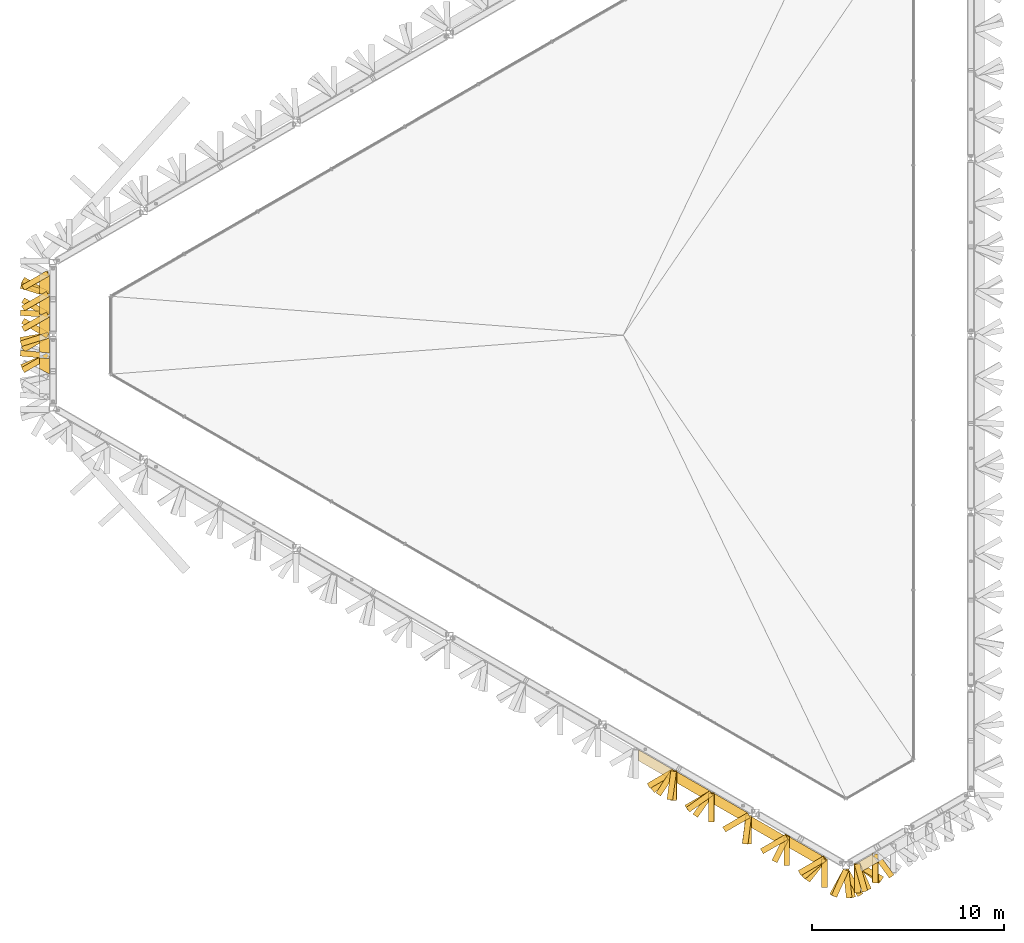
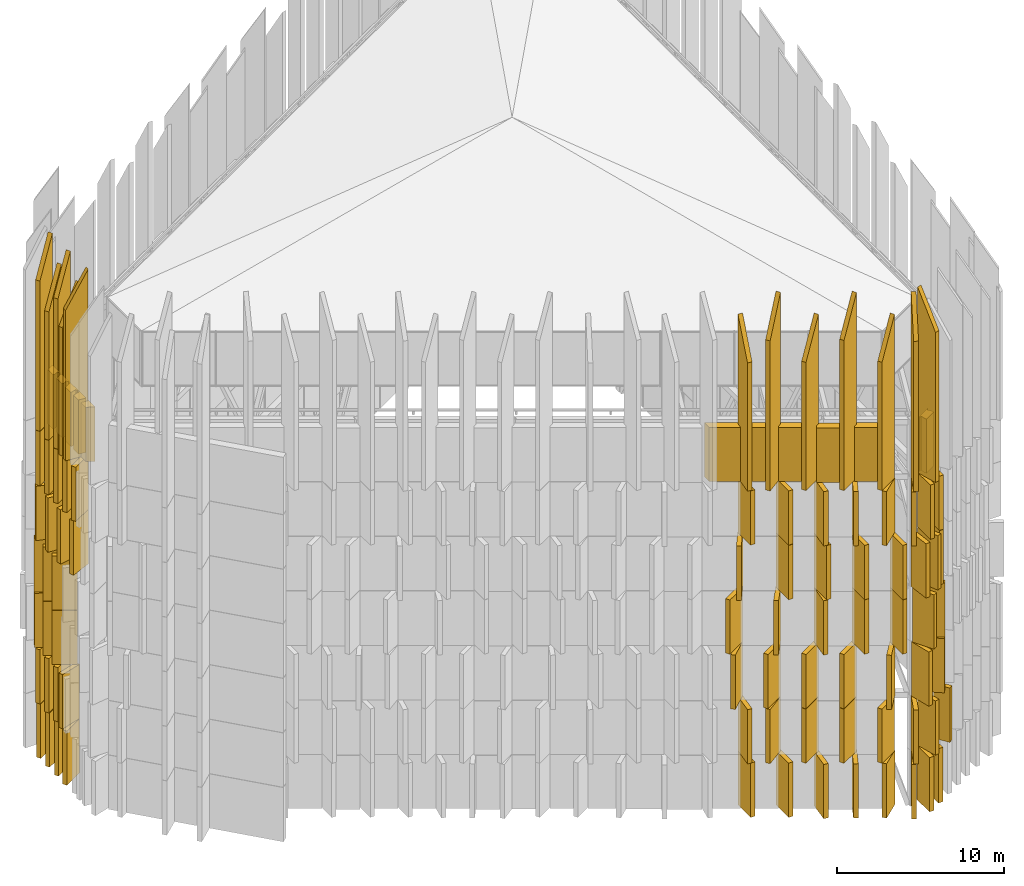
# One storey, part 39 of 45: 92 shading devices.
"""IFC4 building model written with IfcOpenShell, lengths in metres."""

from ifc_helpers import new_model, si_unit, direction, frame, frame_2d, origin, place, context, subcontext, project, spatial, polyline, rectangle, outline, extrude, material, layer, layer_set, type_object, element, save


model = new_model("IFC4")

# Units and contexts
model_context = context("Model", 3, precision=1e-05, world=origin(), true_north=direction((0.0, 1.0)))
body_context = subcontext(model_context, "Body", "Model", "MODEL_VIEW")
ifc_project = project(units=[si_unit("LENGTHUNIT", "METRE"), si_unit("AREAUNIT", "SQUARE_METRE"), si_unit("VOLUMEUNIT", "CUBIC_METRE"), si_unit("PLANEANGLEUNIT", "RADIAN"), si_unit("MASSUNIT", "GRAM", prefix="KILO")], contexts=[model_context])

# Site, building, storey
site_placement = place(None, origin())
site = spatial("IfcSite", under=ifc_project, at=site_placement, CompositionType="ELEMENT")
building_placement = place(site_placement, origin())
building = spatial("IfcBuilding", under=site, at=building_placement, Name="Jabali Bay Hotel Tower and Convention Centre", CompositionType="ELEMENT")
storey_placement = place(building_placement, frame((0.0, 0.0, 322.39990234375)))
storey = spatial("IfcBuildingStorey", under=building, at=storey_placement, Name="Crown", CompositionType="ELEMENT", Elevation=322.39990234375)

# Shading devices
ifc_material_1 = material(Name="Aluminium 6063", Category="aluminium")
shading_device_type_1 = type_object("IfcShadingDeviceType", Name="Louvre bank", PredefinedType="USERDEFINED", material=ifc_material_1)
shading_device_1_placement = place(storey_placement, frame((0.0, 0.0, 23.92431640625)))
element("IfcShadingDevice", 1, at=shading_device_1_placement, inside=storey, type_object=shading_device_type_1, Name="Louvre 7.3.49", ObjectType="LOUVRE", PredefinedType="USERDEFINED", context=body_context, shape_type="SweptSolid", body=[
    extrude(outline(polyline([(45.02587890625, 82.152099609375), (45.02587890625, 83.098388671875), (44.52587890625, 82.8095703125), (44.52587890625, 82.152099609375), (44.65087890625, 82.152099609375), (44.8759765625, 82.281982421875), (44.950927734375, 82.152099609375), (45.02587890625, 82.152099609375)])), origin(), (0.0, 0.0, 1.0), 3.9658203125),
])
shading_device_2_placement = place(storey_placement, frame((0.0, 0.0, 23.92431640625)))
element("IfcShadingDevice", 2, at=shading_device_2_placement, inside=storey, type_object=shading_device_type_1, Name="Louvre 7.3.50", ObjectType="LOUVRE", PredefinedType="USERDEFINED", context=body_context, shape_type="SweptSolid", body=[
    extrude(outline(polyline([(45.02587890625, 81.076171875), (45.02587890625, 82.022216796875), (44.52587890625, 81.733642578125), (44.52587890625, 81.076171875), (44.65087890625, 81.076171875), (44.8759765625, 81.2060546875), (44.950927734375, 81.076171875), (45.02587890625, 81.076171875)])), origin(), (0.0, 0.0, 1.0), 3.9658203125),
])
shading_device_3_placement = place(storey_placement, frame((0.0, 0.0, 23.92431640625)))
element("IfcShadingDevice", 3, at=shading_device_3_placement, inside=storey, type_object=shading_device_type_1, Name="Louvre 7.3.51", ObjectType="LOUVRE", PredefinedType="USERDEFINED", context=body_context, shape_type="SweptSolid", body=[
    extrude(outline(polyline([(45.02587890625, 80.0), (45.02587890625, 80.9462890625), (44.52587890625, 80.657470703125), (44.52587890625, 80.016357421875), (44.9375, 80.143310546875), (44.981689453125, 80.0), (45.02587890625, 80.0)])), origin(), (0.0, 0.0, 1.0), 3.9658203125),
])
shading_device_4_placement = place(storey_placement, frame((0.0, 0.0, 23.92431640625)))
element("IfcShadingDevice", 4, at=shading_device_4_placement, inside=storey, type_object=shading_device_type_1, Name="Louvre 7.3.52", ObjectType="LOUVRE", PredefinedType="USERDEFINED", context=body_context, shape_type="SweptSolid", body=[
    extrude(outline(polyline([(45.02587890625, 79.0732421875), (45.02587890625, 79.856689453125), (44.52587890625, 79.702392578125), (44.52587890625, 79.119140625), (45.02587890625, 79.0732421875)])), origin(), (0.0, 0.0, 1.0), 3.9658203125),
])
shading_device_5_placement = place(storey_placement, frame((0.0, 0.0, 23.92431640625)))
element("IfcShadingDevice", 5, at=shading_device_5_placement, inside=storey, type_object=shading_device_type_1, Name="Louvre 7.3.53", ObjectType="LOUVRE", PredefinedType="USERDEFINED", context=body_context, shape_type="SweptSolid", body=[
    extrude(outline(polyline([(45.02587890625, 77.98095703125), (45.02587890625, 78.923828125), (45.01220703125, 78.923828125), (44.99853515625, 78.774658203125), (44.52587890625, 78.81787109375), (44.52587890625, 78.240966796875), (45.02587890625, 77.98095703125)])), origin(), (0.0, 0.0, 1.0), 3.9658203125),
])
shading_device_6_placement = place(storey_placement, frame((0.0, 0.0, 23.92431640625)))
element("IfcShadingDevice", 6, at=shading_device_6_placement, inside=storey, type_object=shading_device_type_1, Name="Louvre 7.4.71", ObjectType="LOUVRE", PredefinedType="USERDEFINED", context=body_context, shape_type="SweptSolid", body=[
    extrude(outline(polyline([(77.654052734375, 57.2802734375), (75.795166015625, 58.353515625), (75.795166015625, 57.776123046875), (77.404052734375, 56.847412109375), (77.4287109375, 56.889892578125), (77.476806640625, 57.250732421875), (77.62548828125, 57.23095703125), (77.654052734375, 57.2802734375)])), origin(), (0.0, 0.0, 1.0), 3.9658203125),
])
shading_device_7_placement = place(storey_placement, frame((0.0, 0.0, 23.92431640625)))
element("IfcShadingDevice", 7, at=shading_device_7_placement, inside=storey, type_object=shading_device_type_1, Name="Louvre 7.4.72", ObjectType="LOUVRE", PredefinedType="USERDEFINED", context=body_context, shape_type="SweptSolid", body=[
    extrude(outline(polyline([(79.50732421875, 56.21044921875), (77.774169921875, 57.2109375), (77.70263671875, 56.675048828125), (79.05908203125, 55.891845703125), (79.50732421875, 56.21044921875)])), origin(), (0.0, 0.0, 1.0), 3.9658203125),
])
shading_device_8_placement = place(storey_placement, frame((0.0, 0.0, 23.92431640625)))
element("IfcShadingDevice", 8, at=shading_device_8_placement, inside=storey, type_object=shading_device_type_1, Name="Louvre 7.4.73", ObjectType="LOUVRE", PredefinedType="USERDEFINED", context=body_context, shape_type="SweptSolid", body=[
    extrude(outline(polyline([(81.484375, 55.06884765625), (79.62548828125, 56.14208984375), (79.59423828125, 56.088134765625), (79.68115234375, 55.9658203125), (79.4140625, 55.776123046875), (79.37548828125, 55.709228515625), (80.984375, 54.7802734375), (81.484375, 55.06884765625)])), origin(), (0.0, 0.0, 1.0), 3.9658203125),
])
shading_device_9_placement = place(storey_placement, frame((0.0, 0.0, 23.92431640625)))
element("IfcShadingDevice", 9, at=shading_device_9_placement, inside=storey, type_object=shading_device_type_1, Name="Louvre 7.4.74", ObjectType="LOUVRE", PredefinedType="USERDEFINED", context=body_context, shape_type="SweptSolid", body=[
    extrude(outline(polyline([(83.382568359375, 53.888427734375), (81.560302734375, 54.940673828125), (81.559326171875, 54.93896484375), (81.63427734375, 54.80908203125), (81.409423828125, 54.67919921875), (81.310302734375, 54.507568359375), (82.882568359375, 53.599853515625), (83.382568359375, 53.888427734375)])), origin(), (0.0, 0.0, 1.0), 3.9658203125),
])
shading_device_10_placement = place(storey_placement, frame((0.0, 0.0, 23.92431640625)))
element("IfcShadingDevice", 10, at=shading_device_10_placement, inside=storey, type_object=shading_device_type_1, Name="Louvre 7.4.75", ObjectType="LOUVRE", PredefinedType="USERDEFINED", context=body_context, shape_type="SweptSolid", body=[
    extrude(outline(polyline([(85.427001953125, 52.79248046875), (83.568115234375, 53.86572265625), (83.53076171875, 53.80078125), (83.605712890625, 53.6708984375), (83.380859375, 53.541015625), (83.318115234375, 53.432861328125), (84.927001953125, 52.50390625), (85.427001953125, 52.79248046875)])), origin(), (0.0, 0.0, 1.0), 3.9658203125),
])
shading_device_11_placement = place(storey_placement, frame((0.0, 0.0, 23.92431640625)))
element("IfcShadingDevice", 11, at=shading_device_11_placement, inside=storey, type_object=shading_device_type_1, Name="Louvre 7.5.77", ObjectType="LOUVRE", PredefinedType="USERDEFINED", context=body_context, shape_type="SweptSolid", body=[
    extrude(outline(polyline([(88.123291015625, 52.965576171875), (87.19140625, 52.427490234375), (87.209716796875, 52.3955078125), (87.354248046875, 52.43603515625), (87.47314453125, 52.012939453125), (88.287109375, 52.48291015625), (88.009765625, 52.863525390625), (88.131103515625, 52.951904296875), (88.123291015625, 52.965576171875)])), origin(), (0.0, 0.0, 1.0), 3.9658203125),
])
ifc_material_2 = material(Name="Precast concrete C60", Category="concrete")
ifc_layer = layer(ifc_material_2, 0.300048828125)
ifc_layer_set = layer_set([ifc_layer], Name="Precast concrete C60")
shading_device_type_2 = type_object("IfcShadingDeviceType", Name="Precast fin 3966 x 1500", PredefinedType="USERDEFINED", material=ifc_layer_set)
for number, where, z_axis, x_axis, name in (
    (12, (45.0009765625, 83.228271484375, 0.010009765625), (0.0, 0.0, 1.0), (-0.866031096941, -0.499990139034, 0.0), "Fin Crown:0 049"),
    (13, (45.0009765625, 82.152099609375, 0.010009765625), (0.0, 0.0, 1.0), (-0.866031096941, -0.499990139034, 0.0), "Fin Crown:0 050"),
    (14, (45.0009765625, 81.076171875, 0.010009765625), (0.0, 0.0, 1.0), (-0.866031096941, -0.499990139034, 0.0), "Fin Crown:0 051"),
    (15, (44.950927734375, 80.0, 0.010009765625), (0.0, 0.0, 1.0), (-0.866031096941, -0.499990139034, 0.0), "Fin Crown:0 052"),
    (16, (77.6416015625, 57.2587890625, 0.010009765625), (0.0, 0.0, 1.0), (0.0, -1.0, 0.0), "Fin Crown:0 072"),
    (17, (79.613037109375, 56.12060546875, 0.010009765625), (0.0, 0.0, 1.0), (0.0, -1.0, 0.0), "Fin Crown:0 073"),
    (18, (81.551025390625, 54.9248046875, 0.010009765625), (0.0, 0.0, 1.0), (-0.125156393138, -0.992137025444, 0.0), "Fin Crown:0 074"),
    (19, (83.588623046875, 53.9013671875, 0.010009765625), (0.0, 0.0, 1.0), (-0.446953152274, -0.894557365222, 0.0), "Fin Crown:0 075"),
    (20, (85.540283203125, 52.728759765625, 0.010009765625), (0.0, 0.0, 1.0), (-0.754700119599, -0.656069912035, 0.0), "Fin Crown:0 076"),
    (21, (87.203857421875, 52.406005859375, 0.010009765625), (0.0, 0.0, 1.0), (0.0, -1.0, 0.0), "Fin Crown:0 077"),
    (22, (88.1357421875, 52.94384765625, 0.010009765625), (0.0, 0.0, 1.0), (0.0, -1.0, 0.0), "Fin Crown:0 078"),
):
    element("IfcShadingDevice", number, at=place(storey_placement, frame(where, z_axis=z_axis, x_axis=x_axis)), inside=storey, type_object=shading_device_type_2, Name=name, ObjectType="FIN", PredefinedType="USERDEFINED", context=body_context, shape_type="SweptSolid", body=[
        extrude(rectangle(XDim=1.5, YDim=0.300048828125, at=frame_2d((0.75, 0.0))), origin(), (0.0, 0.0, 1.0), 3.9658203125),
    ])
shading_device_12_placement = place(storey_placement, frame((86.625244140625, 52.0595703125, 0.010009765625), z_axis=(0.0, 0.0, 1.0), x_axis=(-0.480687275242, -0.876892093373, 0.0)))
element("IfcShadingDevice", 23, at=shading_device_12_placement, inside=storey, type_object=shading_device_type_2, Name="Fin Crown:0 089", ObjectType="FIN", PredefinedType="USERDEFINED", context=body_context, shape_type="SweptSolid", body=[
    extrude(rectangle(XDim=1.499755859375, YDim=0.300048828125, at=frame_2d((0.75, 0.0))), origin(), (0.0, 0.0, 1.0), 3.9658203125),
])
for number, where, z_axis, x_axis, name in (
    (24, (44.950927734375, 83.228271484375, 3.995849609375), (0.0, 0.0, 1.0), (-0.866031096941, -0.499990139034, 0.0), "Fin Crown:1 049"),
    (25, (44.950927734375, 82.152099609375, 3.995849609375), (0.0, 0.0, 1.0), (-0.866031096941, -0.499990139034, 0.0), "Fin Crown:1 050"),
    (26, (44.950927734375, 81.076171875, 3.995849609375), (0.0, 0.0, 1.0), (-0.866031096941, -0.499990139034, 0.0), "Fin Crown:1 051"),
    (27, (44.981689453125, 80.0, 3.995849609375), (0.0, 0.0, 1.0), (-0.955525286531, -0.294909183988, 0.0), "Fin Crown:1 052"),
    (28, (77.62548828125, 57.23095703125, 3.995849609375), (0.0, 0.0, 1.0), (-0.132323635106, -0.991206565552, 0.0), "Fin Crown:1 072"),
    (29, (79.59423828125, 56.088134765625, 3.995849609375), (0.0, 0.0, 1.0), (-0.815050967003, -0.579389265681, 0.0), "Fin Crown:1 073"),
    (30, (81.559326171875, 54.93896484375, 3.995849609375), (0.0, 0.0, 1.0), (-0.866031096941, -0.499990139034, 0.0), "Fin Crown:1 074"),
    (31, (83.53076171875, 53.80078125, 3.995849609375), (0.0, 0.0, 1.0), (-0.866031096941, -0.499990139034, 0.0), "Fin Crown:1 075"),
    (32, (85.502197265625, 52.66259765625, 3.995849609375), (0.0, 0.0, 1.0), (-0.866031096941, -0.499990139034, 0.0), "Fin Crown:1 076"),
    (33, (87.209716796875, 52.3955078125, 3.995849609375), (0.0, 0.0, 1.0), (0.2710000961, -0.962579320323, 0.0), "Fin Crown:1 077"),
    (34, (88.131103515625, 52.951904296875, 3.995849609375), (0.0, 0.0, 1.0), (0.588665115166, -0.808377004984, 0.0), "Fin Crown:1 078"),
    (35, (86.625244140625, 52.0703125, 3.995849609375), (0.0, 0.0, 1.0), (-0.410317303878, -0.911942821748, 0.0), "Fin Crown:1 089"),
):
    element("IfcShadingDevice", number, at=place(storey_placement, frame(where, z_axis=z_axis, x_axis=x_axis)), inside=storey, type_object=shading_device_type_2, Name=name, ObjectType="FIN", PredefinedType="USERDEFINED", context=body_context, shape_type="SweptSolid", body=[
        extrude(rectangle(XDim=1.5, YDim=0.300048828125, at=frame_2d((0.75, 0.0))), origin(), (0.0, 0.0, 1.0), 3.965576171875),
    ])
for number, where, z_axis, x_axis, name in (
    (36, (44.960205078125, 82.152099609375, 7.9814453125), (0.0, 0.0, 1.0), (-0.899065439376, 0.437814270804, 0.0), "Fin Crown:2 050"),
    (37, (44.950927734375, 81.076171875, 7.9814453125), (0.0, 0.0, 1.0), (-0.866031096941, 0.499990139034, 0.0), "Fin Crown:2 051"),
    (38, (44.950927734375, 80.0, 7.9814453125), (0.0, 0.0, 1.0), (-0.866031096941, 0.499990139034, 0.0), "Fin Crown:2 052"),
):
    element("IfcShadingDevice", number, at=place(storey_placement, frame(where, z_axis=z_axis, x_axis=x_axis)), inside=storey, type_object=shading_device_type_2, Name=name, ObjectType="FIN", PredefinedType="USERDEFINED", context=body_context, shape_type="SweptSolid", body=[
        extrude(rectangle(XDim=1.5, YDim=0.300048828125, at=frame_2d((0.75, 0.0))), origin(), (0.0, 0.0, 1.0), 3.9658203125),
    ])
shading_device_13_placement = place(storey_placement, frame((77.632080078125, 57.2421875, 7.9814453125), z_axis=(0.0, 0.0, 1.0), x_axis=(-0.732509406589, -0.680756909079, 0.0)))
element("IfcShadingDevice", 39, at=shading_device_13_placement, inside=storey, type_object=shading_device_type_2, Name="Fin Crown:2 072", ObjectType="FIN", PredefinedType="USERDEFINED", context=body_context, shape_type="SweptSolid", body=[
    extrude(rectangle(XDim=1.500244140625, YDim=0.300048828125, at=frame_2d((0.75, 0.0))), origin(), (0.0, 0.0, 1.0), 3.9658203125),
])
for number, where, z_axis, x_axis, name in (
    (40, (79.587890625, 56.0771484375, 7.9814453125), (0.0, 0.0, 1.0), (-0.866031096941, -0.499990139034, 0.0), "Fin Crown:2 073"),
    (41, (81.559326171875, 54.93896484375, 7.9814453125), (0.0, 0.0, 1.0), (-0.866031096941, -0.499990139034, 0.0), "Fin Crown:2 074"),
    (42, (83.53076171875, 53.80078125, 7.9814453125), (0.0, 0.0, 1.0), (-0.866031096941, -0.499990139034, 0.0), "Fin Crown:2 075"),
):
    element("IfcShadingDevice", number, at=place(storey_placement, frame(where, z_axis=z_axis, x_axis=x_axis)), inside=storey, type_object=shading_device_type_2, Name=name, ObjectType="FIN", PredefinedType="USERDEFINED", context=body_context, shape_type="SweptSolid", body=[
        extrude(rectangle(XDim=1.5, YDim=0.300048828125, at=frame_2d((0.75, 0.0))), origin(), (0.0, 0.0, 1.0), 3.9658203125),
    ])
shading_device_14_placement = place(storey_placement, frame((85.529541015625, 52.710205078125, 7.9814453125), z_axis=(0.0, 0.0, 1.0), x_axis=(-0.61209112798, -0.790787235006, 0.0)))
element("IfcShadingDevice", 43, at=shading_device_14_placement, inside=storey, type_object=shading_device_type_2, Name="Fin Crown:2 076", ObjectType="FIN", PredefinedType="USERDEFINED", context=body_context, shape_type="SweptSolid", body=[
    extrude(rectangle(XDim=1.500244140625, YDim=0.300048828125, at=frame_2d((0.75, 0.0))), origin(), (0.0, 0.0, 1.0), 3.9658203125),
])
shading_device_15_placement = place(storey_placement, frame((87.221435546875, 52.375244140625, 7.9814453125), z_axis=(0.0, 0.0, 1.0), x_axis=(0.806187604397, -0.591659992324, 0.0)))
element("IfcShadingDevice", 44, at=shading_device_15_placement, inside=storey, type_object=shading_device_type_2, Name="Fin Crown:2 077", ObjectType="FIN", PredefinedType="USERDEFINED", context=body_context, shape_type="SweptSolid", body=[
    extrude(rectangle(XDim=1.5, YDim=0.300048828125, at=frame_2d((0.75, 0.0))), origin(), (0.0, 0.0, 1.0), 3.9658203125),
])
shading_device_16_placement = place(storey_placement, frame((86.625244140625, 52.095947265625, 7.9814453125), z_axis=(0.0, 0.0, 1.0), x_axis=(0.237975282422, -0.971271210814, 0.0)))
element("IfcShadingDevice", 45, at=shading_device_16_placement, inside=storey, type_object=shading_device_type_2, Name="Fin Crown:2 089", ObjectType="FIN", PredefinedType="USERDEFINED", context=body_context, shape_type="SweptSolid", body=[
    extrude(rectangle(XDim=1.499755859375, YDim=0.300048828125, at=frame_2d((0.75, 0.0))), origin(), (0.0, 0.0, 1.0), 3.9658203125),
])
for number, where, z_axis, x_axis, name in (
    (46, (44.950927734375, 82.152099609375, 11.96728515625), (0.0, 0.0, 1.0), (-0.866031096941, 0.499990139034, 0.0), "Fin Crown:3 050"),
    (47, (44.950927734375, 81.076171875, 11.96728515625), (0.0, 0.0, 1.0), (-0.866031096941, 0.499990139034, 0.0), "Fin Crown:3 051"),
    (48, (44.950927734375, 80.0, 11.96728515625), (0.0, 0.0, 1.0), (-0.866031096941, 0.499990139034, 0.0), "Fin Crown:3 052"),
    (49, (77.616455078125, 57.21533203125, 11.96728515625), (0.0, 0.0, 1.0), (-0.866031096941, -0.499990139034, 0.0), "Fin Crown:3 072"),
    (50, (79.618896484375, 56.130615234375, 11.96728515625), (0.0, 0.0, 1.0), (-0.57470696274, -0.818359277444, 0.0), "Fin Crown:3 073"),
    (51, (81.55126953125, 54.925048828125, 11.96728515625), (0.0, 0.0, 1.0), (-0.133783978635, -0.991010518138, 0.0), "Fin Crown:3 074"),
    (52, (83.53076171875, 53.80078125, 11.96728515625), (0.0, 0.0, 1.0), (0.0, -1.0, 0.0), "Fin Crown:3 075"),
    (53, (85.502197265625, 52.66259765625, 11.96728515625), (0.0, 0.0, 1.0), (0.0, -1.0, 0.0), "Fin Crown:3 076"),
    (54, (87.2275390625, 52.36474609375, 11.96728515625), (0.0, 0.0, 1.0), (0.85661564092, -0.515955079179, 0.0), "Fin Crown:3 077"),
):
    element("IfcShadingDevice", number, at=place(storey_placement, frame(where, z_axis=z_axis, x_axis=x_axis)), inside=storey, type_object=shading_device_type_2, Name=name, ObjectType="FIN", PredefinedType="USERDEFINED", context=body_context, shape_type="SweptSolid", body=[
        extrude(rectangle(XDim=1.5, YDim=0.300048828125, at=frame_2d((0.75, 0.0))), origin(), (0.0, 0.0, 1.0), 3.965576171875),
    ])
shading_device_17_placement = place(storey_placement, frame((86.625244140625, 52.056640625, 11.96728515625), z_axis=(0.0, 0.0, 1.0), x_axis=(0.500060622324, -0.86599040064, 0.0)))
element("IfcShadingDevice", 55, at=shading_device_17_placement, inside=storey, type_object=shading_device_type_2, Name="Fin Crown:3 089", ObjectType="FIN", PredefinedType="USERDEFINED", context=body_context, shape_type="SweptSolid", body=[
    extrude(rectangle(XDim=1.499755859375, YDim=0.300048828125, at=frame_2d((0.75, 0.0))), origin(), (0.0, 0.0, 1.0), 3.965576171875),
])
shading_device_18_placement = place(storey_placement, frame((44.982177734375, 82.152099609375, 15.952880859375), z_axis=(0.0, 0.0, 1.0), x_axis=(-0.956567371849, 0.291511343029, 0.0)))
element("IfcShadingDevice", 56, at=shading_device_18_placement, inside=storey, type_object=shading_device_type_2, Name="Fin Crown:4 050", ObjectType="FIN", PredefinedType="USERDEFINED", context=body_context, shape_type="SweptSolid", body=[
    extrude(rectangle(XDim=1.5, YDim=0.300048828125, at=frame_2d((0.75, 0.0))), origin(), (0.0, 0.0, 1.0), 3.9658203125),
])
shading_device_19_placement = place(storey_placement, frame((45.015625, 81.076171875, 15.952880859375), z_axis=(0.0, 0.0, 1.0), x_axis=(-0.997605225218, 0.069165125729, 0.0)))
element("IfcShadingDevice", 57, at=shading_device_19_placement, inside=storey, type_object=shading_device_type_2, Name="Fin Crown:4 051", ObjectType="FIN", PredefinedType="USERDEFINED", context=body_context, shape_type="SweptSolid", body=[
    extrude(rectangle(XDim=1.500244140625, YDim=0.300048828125, at=frame_2d((0.75, 0.0))), origin(), (0.0, 0.0, 1.0), 3.9658203125),
])
shading_device_20_placement = place(storey_placement, frame((45.0, 80.0, 15.952880859375), z_axis=(0.0, 0.0, 1.0), x_axis=(-0.98483430962, -0.173497500257, 0.0)))
element("IfcShadingDevice", 58, at=shading_device_20_placement, inside=storey, type_object=shading_device_type_2, Name="Fin Crown:4 052", ObjectType="FIN", PredefinedType="USERDEFINED", context=body_context, shape_type="SweptSolid", body=[
    extrude(rectangle(XDim=1.5, YDim=0.300048828125, at=frame_2d((0.75, 0.0))), origin(), (0.0, 0.0, 1.0), 3.9658203125),
])
shading_device_21_placement = place(storey_placement, frame((44.9658203125, 78.923828125, 15.952880859375), z_axis=(0.0, 0.0, 1.0), x_axis=(-0.91625817277, -0.400588268465, 0.0)))
element("IfcShadingDevice", 59, at=shading_device_21_placement, inside=storey, type_object=shading_device_type_2, Name="Fin Crown:4 053", ObjectType="FIN", PredefinedType="USERDEFINED", context=body_context, shape_type="SweptSolid", body=[
    extrude(rectangle(XDim=1.499755859375, YDim=0.300048828125, at=frame_2d((0.75, 0.0))), origin(), (0.0, 0.0, 1.0), 3.9658203125),
])
for number, where, z_axis, x_axis, name in (
    (60, (77.649658203125, 57.27294921875, 15.952880859375), (0.0, 0.0, 1.0), (-0.548638666346, -0.836059575503, 0.0), "Fin Crown:4 072"),
    (61, (79.587890625, 56.0771484375, 15.952880859375), (0.0, 0.0, 1.0), (0.0, -1.0, 0.0), "Fin Crown:4 073"),
    (62, (81.5498046875, 54.922607421875, 15.952880859375), (0.0, 0.0, 1.0), (0.0, -1.0, 0.0), "Fin Crown:4 074"),
    (63, (83.53076171875, 53.80078125, 15.952880859375), (0.0, 0.0, 1.0), (0.0, -1.0, 0.0), "Fin Crown:4 075"),
    (64, (85.502197265625, 52.66259765625, 15.952880859375), (0.0, 0.0, 1.0), (0.0, -1.0, 0.0), "Fin Crown:4 076"),
):
    element("IfcShadingDevice", number, at=place(storey_placement, frame(where, z_axis=z_axis, x_axis=x_axis)), inside=storey, type_object=shading_device_type_2, Name=name, ObjectType="FIN", PredefinedType="USERDEFINED", context=body_context, shape_type="SweptSolid", body=[
        extrude(rectangle(XDim=1.5, YDim=0.300048828125, at=frame_2d((0.75, 0.0))), origin(), (0.0, 0.0, 1.0), 3.9658203125),
    ])
shading_device_22_placement = place(storey_placement, frame((87.198974609375, 52.414306640625, 15.952880859375), z_axis=(0.0, 0.0, 1.0), x_axis=(0.409383042566, -0.912362605798, 0.0)))
element("IfcShadingDevice", 65, at=shading_device_22_placement, inside=storey, type_object=shading_device_type_2, Name="Fin Crown:4 077", ObjectType="FIN", PredefinedType="USERDEFINED", context=body_context, shape_type="SweptSolid", body=[
    extrude(rectangle(XDim=1.499755859375, YDim=0.300048828125, at=frame_2d((0.75, 0.0))), origin(), (0.0, 0.0, 1.0), 3.9658203125),
])
for number, where, z_axis, x_axis, name in (
    (66, (88.160400390625, 52.9013671875, 15.952880859375), (0.0, 0.0, 1.0), (0.006184777542, -0.99998087408, 0.0), "Fin Crown:4 078"),
    (67, (86.625244140625, 52.11474609375, 15.952880859375), (0.0, 0.0, 1.0), (0.11262848828, -0.993637169005, 0.0), "Fin Crown:4 089"),
):
    element("IfcShadingDevice", number, at=place(storey_placement, frame(where, z_axis=z_axis, x_axis=x_axis)), inside=storey, type_object=shading_device_type_2, Name=name, ObjectType="FIN", PredefinedType="USERDEFINED", context=body_context, shape_type="SweptSolid", body=[
        extrude(rectangle(XDim=1.5, YDim=0.300048828125, at=frame_2d((0.75, 0.0))), origin(), (0.0, 0.0, 1.0), 3.9658203125),
    ])
for number, where, z_axis, x_axis, name in (
    (68, (44.950927734375, 83.228271484375, 19.938720703125), (0.0, 0.0, 1.0), (-0.866031096941, -0.499990139034, 0.0), "Fin Crown:5 049"),
    (69, (44.950927734375, 82.152099609375, 19.938720703125), (0.0, 0.0, 1.0), (-0.866031096941, -0.499990139034, 0.0), "Fin Crown:5 050"),
    (70, (44.950927734375, 81.076171875, 19.938720703125), (0.0, 0.0, 1.0), (-0.866031096941, -0.499990139034, 0.0), "Fin Crown:5 051"),
    (71, (44.950927734375, 80.0, 19.938720703125), (0.0, 0.0, 1.0), (-0.866031096941, -0.499990139034, 0.0), "Fin Crown:5 052"),
    (72, (44.95166015625, 78.923828125, 19.938720703125), (0.0, 0.0, 1.0), (-0.868463402418, -0.495753284064, 0.0), "Fin Crown:5 053"),
    (73, (77.616455078125, 57.21533203125, 19.938720703125), (0.0, 0.0, 1.0), (0.0, -1.0, 0.0), "Fin Crown:5 072"),
    (74, (79.587890625, 56.0771484375, 19.938720703125), (0.0, 0.0, 1.0), (0.0, -1.0, 0.0), "Fin Crown:5 073"),
    (75, (81.551025390625, 54.9248046875, 19.938720703125), (0.0, 0.0, 1.0), (-0.125156393138, -0.992137025444, 0.0), "Fin Crown:5 074"),
    (76, (83.563720703125, 53.85791015625, 19.938720703125), (0.0, 0.0, 1.0), (-0.4470833881, -0.894492282854, 0.0), "Fin Crown:5 075"),
):
    element("IfcShadingDevice", number, at=place(storey_placement, frame(where, z_axis=z_axis, x_axis=x_axis)), inside=storey, type_object=shading_device_type_2, Name=name, ObjectType="FIN", PredefinedType="USERDEFINED", context=body_context, shape_type="SweptSolid", body=[
        extrude(rectangle(XDim=1.5, YDim=0.300048828125, at=frame_2d((0.75, 0.0))), origin(), (0.0, 0.0, 1.0), 3.965576171875),
    ])
shading_device_23_placement = place(storey_placement, frame((85.51513671875, 52.685302734375, 19.938720703125), z_axis=(0.0, 0.0, 1.0), x_axis=(-0.754630051944, -0.656150504613, 0.0)))
element("IfcShadingDevice", 77, at=shading_device_23_placement, inside=storey, type_object=shading_device_type_2, Name="Fin Crown:5 076", ObjectType="FIN", PredefinedType="USERDEFINED", context=body_context, shape_type="SweptSolid", body=[
    extrude(rectangle(XDim=1.499755859375, YDim=0.300048828125, at=frame_2d((0.75, 0.0))), origin(), (0.0, 0.0, 1.0), 3.965576171875),
])
for number, where, z_axis, x_axis, name in (
    (78, (87.228759765625, 52.362548828125, 19.938720703125), (0.0, 0.0, 1.0), (0.0, -1.0, 0.0), "Fin Crown:5 077"),
    (79, (88.16064453125, 52.900634765625, 19.938720703125), (0.0, 0.0, 1.0), (0.0, -1.0, 0.0), "Fin Crown:5 078"),
):
    element("IfcShadingDevice", number, at=place(storey_placement, frame(where, z_axis=z_axis, x_axis=x_axis)), inside=storey, type_object=shading_device_type_2, Name=name, ObjectType="FIN", PredefinedType="USERDEFINED", context=body_context, shape_type="SweptSolid", body=[
        extrude(rectangle(XDim=1.5, YDim=0.300048828125, at=frame_2d((0.75, 0.0))), origin(), (0.0, 0.0, 1.0), 3.965576171875),
    ])
shading_device_24_placement = place(storey_placement, frame((86.625244140625, 52.0595703125, 19.938720703125), z_axis=(0.0, 0.0, 1.0), x_axis=(-0.480687275242, -0.876892093373, 0.0)))
element("IfcShadingDevice", 80, at=shading_device_24_placement, inside=storey, type_object=shading_device_type_2, Name="Fin Crown:5 089", ObjectType="FIN", PredefinedType="USERDEFINED", context=body_context, shape_type="SweptSolid", body=[
    extrude(rectangle(XDim=1.499755859375, YDim=0.300048828125, at=frame_2d((0.75, 0.0))), origin(), (0.0, 0.0, 1.0), 3.965576171875),
])
shading_device_25_placement = place(storey_placement, frame((44.950927734375, 83.228271484375, 23.92431640625), z_axis=(0.0, 0.0, 1.0), x_axis=(-0.866031096941, -0.499990139034, 0.0)))
element("IfcShadingDevice", 81, at=shading_device_25_placement, inside=storey, type_object=shading_device_type_2, Name="Fin Crown:6 049", ObjectType="FIN", PredefinedType="USERDEFINED", context=body_context, shape_type="SweptSolid", body=[
    extrude(outline(polyline([(0.0, 0.0), (1.5, 0.0), (1.5, 10.9677734375), (0.0, 13.565673828125), (0.0, 0.0)])), frame((0.0, 0.14990234375, 0.0), z_axis=(0.0, -1.0, 0.0), x_axis=(1.0, 0.0, 0.0)), (0.0, 0.0, 1.0), 0.300048828125),
])
shading_device_26_placement = place(storey_placement, frame((44.950927734375, 82.152099609375, 23.92431640625), z_axis=(0.0, 0.0, 1.0), x_axis=(-0.866031096941, -0.499990139034, 0.0)))
element("IfcShadingDevice", 82, at=shading_device_26_placement, inside=storey, type_object=shading_device_type_2, Name="Fin Crown:6 050", ObjectType="FIN", PredefinedType="USERDEFINED", context=body_context, shape_type="SweptSolid", body=[
    extrude(outline(polyline([(0.0, 0.0), (1.5, 0.0), (1.5, 9.36767578125), (0.0, 11.9658203125), (0.0, 0.0)])), frame((0.0, 0.14990234375, 0.0), z_axis=(0.0, -1.0, 0.0), x_axis=(1.0, 0.0, 0.0)), (0.0, 0.0, 1.0), 0.300048828125),
])
shading_device_27_placement = place(storey_placement, frame((44.950927734375, 81.076171875, 23.92431640625), z_axis=(0.0, 0.0, 1.0), x_axis=(-0.866031096941, -0.499990139034, 0.0)))
element("IfcShadingDevice", 83, at=shading_device_27_placement, inside=storey, type_object=shading_device_type_2, Name="Fin Crown:6 051", ObjectType="FIN", PredefinedType="USERDEFINED", context=body_context, shape_type="SweptSolid", body=[
    extrude(outline(polyline([(0.0, 0.0), (1.5, 0.0), (1.5, 10.9677734375), (0.0, 13.565673828125), (0.0, 0.0)])), frame((0.0, 0.14990234375, 0.0), z_axis=(0.0, -1.0, 0.0), x_axis=(1.0, 0.0, 0.0)), (0.0, 0.0, 1.0), 0.300048828125),
])
shading_device_28_placement = place(storey_placement, frame((44.981689453125, 80.0, 23.92431640625), z_axis=(0.0, 0.0, 1.0), x_axis=(-0.955525286531, -0.294909183988, 0.0)))
element("IfcShadingDevice", 84, at=shading_device_28_placement, inside=storey, type_object=shading_device_type_2, Name="Fin Crown:6 052", ObjectType="FIN", PredefinedType="USERDEFINED", context=body_context, shape_type="SweptSolid", body=[
    extrude(outline(polyline([(0.0, 0.0), (1.5, 0.0), (1.5, 9.36767578125), (0.0, 11.9658203125), (0.0, 0.0)])), frame((0.0, 0.14990234375, 0.0), z_axis=(0.0, -1.0, 0.0), x_axis=(1.0, 0.0, 0.0)), (0.0, 0.0, 1.0), 0.300048828125),
])
shading_device_29_placement = place(storey_placement, frame((45.01220703125, 78.923828125, 23.92431640625), z_axis=(0.0, 0.0, 1.0), x_axis=(-0.995807377688, 0.091474950353, 0.0)))
element("IfcShadingDevice", 85, at=shading_device_29_placement, inside=storey, type_object=shading_device_type_2, Name="Fin Crown:6 053", ObjectType="FIN", PredefinedType="USERDEFINED", context=body_context, shape_type="SweptSolid", body=[
    extrude(outline(polyline([(0.0, 0.0), (1.5, 0.0), (1.5, 10.9677734375), (0.0, 13.565673828125), (0.0, 0.0)])), frame((0.0, 0.14990234375, 0.0), z_axis=(0.0, -1.0, 0.0), x_axis=(1.0, 0.0, 0.0)), (0.0, 0.0, 1.0), 0.300048828125),
])
shading_device_30_placement = place(storey_placement, frame((77.62548828125, 57.23095703125, 23.92431640625), z_axis=(0.0, 0.0, 1.0), x_axis=(-0.132323635106, -0.991206565552, 0.0)))
element("IfcShadingDevice", 86, at=shading_device_30_placement, inside=storey, type_object=shading_device_type_2, Name="Fin Crown:6 072", ObjectType="FIN", PredefinedType="USERDEFINED", context=body_context, shape_type="SweptSolid", body=[
    extrude(outline(polyline([(0.0, 0.0), (1.5, 0.0), (1.5, 9.36767578125), (0.0, 11.9658203125), (0.0, 0.0)])), frame((0.0, 0.14990234375, 0.0), z_axis=(0.0, -1.0, 0.0), x_axis=(1.0, 0.0, 0.0)), (0.0, 0.0, 1.0), 0.300048828125),
])
shading_device_31_placement = place(storey_placement, frame((79.59423828125, 56.088134765625, 23.92431640625), z_axis=(0.0, 0.0, 1.0), x_axis=(-0.815050967003, -0.579389265681, 0.0)))
element("IfcShadingDevice", 87, at=shading_device_31_placement, inside=storey, type_object=shading_device_type_2, Name="Fin Crown:6 073", ObjectType="FIN", PredefinedType="USERDEFINED", context=body_context, shape_type="SweptSolid", body=[
    extrude(outline(polyline([(0.0, 0.0), (1.5, 0.0), (1.5, 10.9677734375), (0.0, 13.565673828125), (0.0, 0.0)])), frame((0.0, 0.14990234375, 0.0), z_axis=(0.0, -1.0, 0.0), x_axis=(1.0, 0.0, 0.0)), (0.0, 0.0, 1.0), 0.300048828125),
])
shading_device_32_placement = place(storey_placement, frame((81.559326171875, 54.93896484375, 23.92431640625), z_axis=(0.0, 0.0, 1.0), x_axis=(-0.866031096941, -0.499990139034, 0.0)))
element("IfcShadingDevice", 88, at=shading_device_32_placement, inside=storey, type_object=shading_device_type_2, Name="Fin Crown:6 074", ObjectType="FIN", PredefinedType="USERDEFINED", context=body_context, shape_type="SweptSolid", body=[
    extrude(outline(polyline([(0.0, 0.0), (1.5, 0.0), (1.5, 9.36767578125), (0.0, 11.9658203125), (0.0, 0.0)])), frame((0.0, 0.14990234375, 0.0), z_axis=(0.0, -1.0, 0.0), x_axis=(1.0, 0.0, 0.0)), (0.0, 0.0, 1.0), 0.300048828125),
])
shading_device_33_placement = place(storey_placement, frame((83.53076171875, 53.80078125, 23.92431640625), z_axis=(0.0, 0.0, 1.0), x_axis=(-0.866031096941, -0.499990139034, 0.0)))
element("IfcShadingDevice", 89, at=shading_device_33_placement, inside=storey, type_object=shading_device_type_2, Name="Fin Crown:6 075", ObjectType="FIN", PredefinedType="USERDEFINED", context=body_context, shape_type="SweptSolid", body=[
    extrude(outline(polyline([(0.0, 0.0), (1.5, 0.0), (1.5, 10.9677734375), (0.0, 13.565673828125), (0.0, 0.0)])), frame((0.0, 0.14990234375, 0.0), z_axis=(0.0, -1.0, 0.0), x_axis=(1.0, 0.0, 0.0)), (0.0, 0.0, 1.0), 0.300048828125),
])
shading_device_34_placement = place(storey_placement, frame((85.502197265625, 52.66259765625, 23.92431640625), z_axis=(0.0, 0.0, 1.0), x_axis=(-0.866031096941, -0.499990139034, 0.0)))
element("IfcShadingDevice", 90, at=shading_device_34_placement, inside=storey, type_object=shading_device_type_2, Name="Fin Crown:6 076", ObjectType="FIN", PredefinedType="USERDEFINED", context=body_context, shape_type="SweptSolid", body=[
    extrude(outline(polyline([(0.0, 0.0), (1.5, 0.0), (1.5, 9.36767578125), (0.0, 11.9658203125), (0.0, 0.0)])), frame((0.0, 0.14990234375, 0.0), z_axis=(0.0, -1.0, 0.0), x_axis=(1.0, 0.0, 0.0)), (0.0, 0.0, 1.0), 0.300048828125),
])
for number, where, z_axis, x_axis, name in (
    (91, (87.209716796875, 52.3955078125, 23.92431640625), (0.0, 0.0, 1.0), (0.2710000961, -0.962579320323, 0.0), "Fin Crown:6 077"),
    (92, (86.625244140625, 52.0703125, 23.92431640625), (0.0, 0.0, 1.0), (-0.410317303878, -0.911942821748, 0.0), "Fin Crown:6 089"),
):
    element("IfcShadingDevice", number, at=place(storey_placement, frame(where, z_axis=z_axis, x_axis=x_axis)), inside=storey, type_object=shading_device_type_2, Name=name, ObjectType="FIN", PredefinedType="USERDEFINED", context=body_context, shape_type="SweptSolid", body=[
        extrude(outline(polyline([(0.0, 0.0), (1.5, 0.0), (1.5, 10.9677734375), (0.0, 13.565673828125), (0.0, 0.0)])), frame((0.0, 0.14990234375, 0.0), z_axis=(0.0, -1.0, 0.0), x_axis=(1.0, 0.0, 0.0)), (0.0, 0.0, 1.0), 0.300048828125),
    ])

save(model, "model.ifc")
